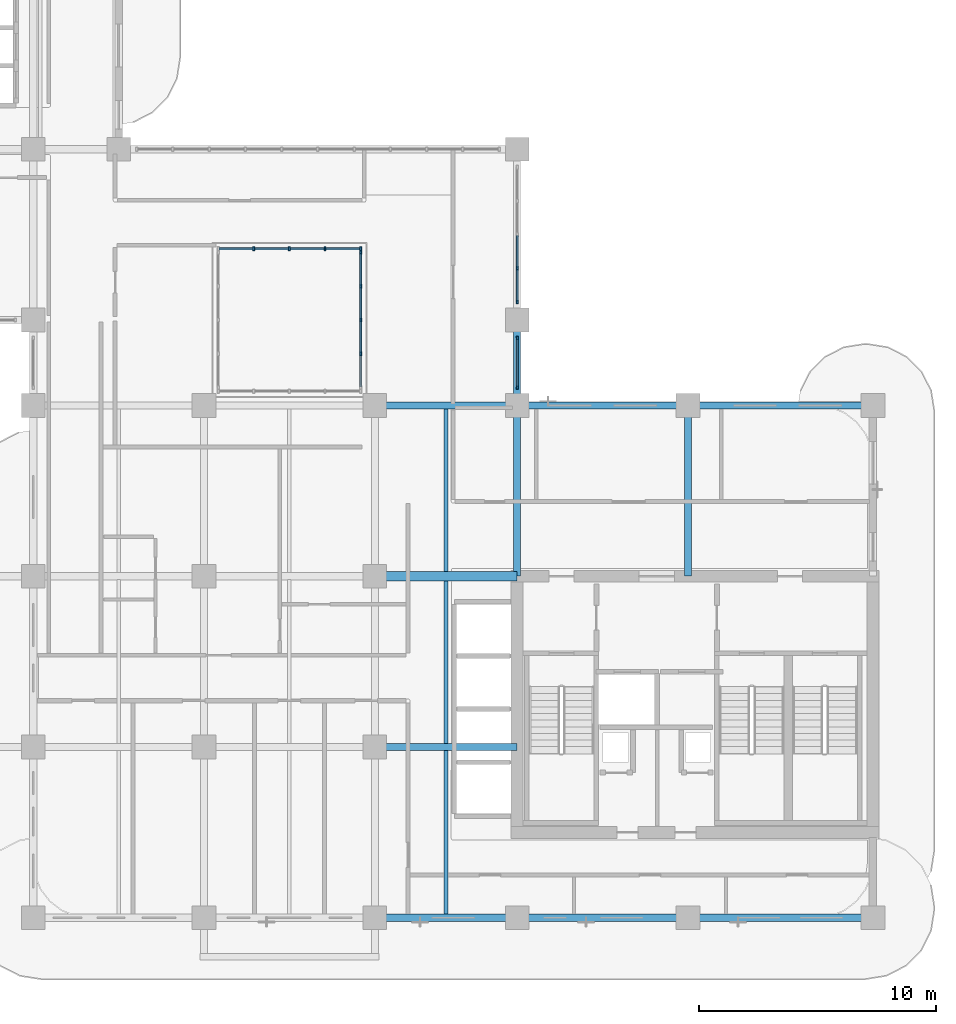
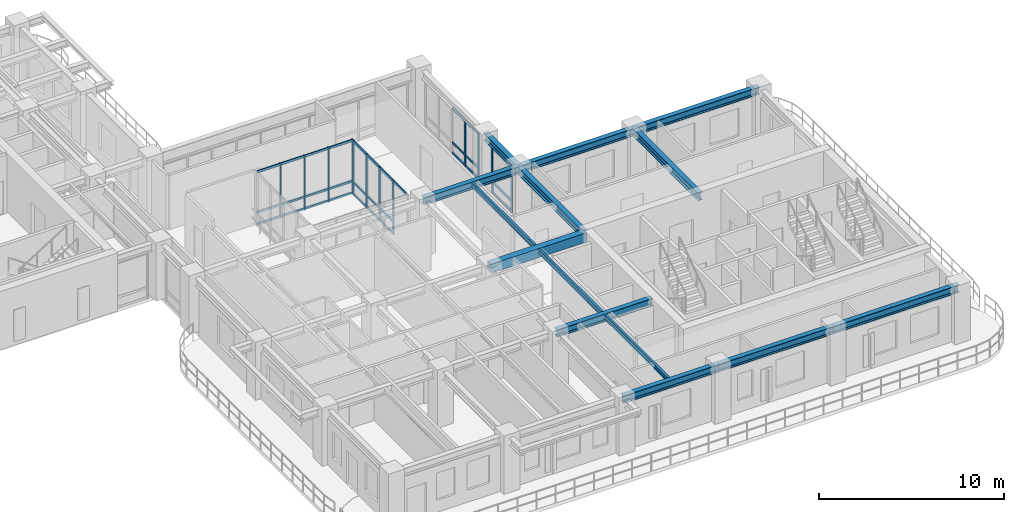
# One storey, part 3 of 21: 43 members, 14 beams, 4 elements without a shape of their own.
"""IFC4 building model written with IfcOpenShell, lengths in metres."""

from ifc_helpers import new_model, si_unit, derived_unit, direction, frame, origin, origin_2d, place, context, subcontext, project, spatial, rectangle, i_section, extrude, source, transform, mapped, material, layer, layer_set, material_profile, profile_set, type_object, type_shapes, element, aggregate, save


model = new_model("IFC4")

# Units and contexts
model_context = context("Model", 3, precision=1e-05, world=origin(), true_north=direction((0.0, 1.0)))
body_context = subcontext(model_context, "Body", "Model", "MODEL_VIEW")
ifc_project = project(units=[si_unit("LENGTHUNIT", "METRE"), si_unit("AREAUNIT", "SQUARE_METRE"), si_unit("VOLUMEUNIT", "CUBIC_METRE"), si_unit("PLANEANGLEUNIT", "RADIAN"), si_unit("MASSUNIT", "GRAM", prefix="KILO"), si_unit("THERMODYNAMICTEMPERATUREUNIT", "KELVIN"), si_unit("POWERUNIT", "WATT"), derived_unit("THERMALTRANSMITTANCEUNIT", [(si_unit("POWERUNIT", "WATT"), 1), (si_unit("AREAUNIT", "SQUARE_METRE"), -1), (si_unit("THERMODYNAMICTEMPERATUREUNIT", "KELVIN"), -1)])], contexts=[model_context])

# Site, building, storey
site_placement = place(None, origin())
site = spatial("IfcSite", under=ifc_project, at=site_placement, CompositionType="ELEMENT")
building_placement = place(site_placement, origin())
building = spatial("IfcBuilding", under=site, at=building_placement, Name="Zahravan Archway Hotel and Residences", CompositionType="ELEMENT")
storey_placement = place(building_placement, frame((0.0, 0.0, 169.550048828125)))
storey = spatial("IfcBuildingStorey", under=building, at=storey_placement, Name="L42", CompositionType="ELEMENT", Elevation=169.550048828125)

# Beams
ifc_material_1 = material(Name="Concrete C60/75", Category="concrete")
ifc_material_profile_1 = material_profile(ifc_material_1, rectangle(XDim=0.39990234375, YDim=0.60009765625, at=origin_2d()), Name="RC-LNT-400x600", Category="concrete")
ifc_profile_set_1 = profile_set([ifc_material_profile_1], Name="Concrete C60/75")
beam_type_1 = type_object("IfcBeamType", Name="LNT-RC-400x600", PredefinedType="LINTEL", material=ifc_profile_set_1)
shared_shape_1 = source(origin(), body_context, "Body", "SweptSolid", [
    extrude(rectangle(XDim=0.39990234375, YDim=0.60009765625, at=origin_2d()), origin(), (0.0, 0.0, 1.0), 6.0),
])
type_shapes(beam_type_1, [shared_shape_1])
beam_1_placement = place(storey_placement, frame((28.800048828125, 14.39990234375, 3.300048828125), z_axis=(1.0, 0.0, 0.0), x_axis=(0.0, 1.0, 0.0)))
element("IfcBeam", 1, at=beam_1_placement, inside=storey, type_object=beam_type_1, Name="L42 Core A Coupling Lintel Beam", PredefinedType="LINTEL", context=body_context, shape_type="MappedRepresentation", body=[
    mapped(shared_shape_1, transform((0.0, 0.0, 0.0), scale=1.0)),
])
ifc_material_2 = material(Name="Structural Steel S355JR", Category="steel")
ifc_material_profile_2 = material_profile(ifc_material_2, i_section(OverallWidth=0.300048828125, OverallDepth=0.5, WebThickness=0.014404296875, FlangeThickness=0.028076171875, FilletRadius=0.027099609375, at=origin_2d()), Name="HEB 500", Category="steel")
ifc_profile_set_2 = profile_set([ifc_material_profile_2], Name="Structural Steel S355JR")
beam_type_2 = type_object("IfcBeamType", Name="BM-PRI-HEB500", PredefinedType="BEAM", material=ifc_profile_set_2)
shared_shape_2 = source(origin(), body_context, "Body", "SweptSolid", [
    extrude(i_section(OverallWidth=0.300048828125, OverallDepth=0.5, WebThickness=0.014404296875, FlangeThickness=0.028076171875, FilletRadius=0.027099609375, at=origin_2d()), origin(), (0.0, 0.0, 1.0), 7.2001953125),
])
type_shapes(beam_type_2, [shared_shape_2])
for number, where, z_axis, x_axis, name in (
    (2, (34.800048828125, 14.39990234375, 3.349853515625), (0.0, 1.0, 0.0), (-1.0, 0.0, 0.0), "L42 Primary Girder NS-41"),
    (3, (42.0, 14.39990234375, 3.349853515625), (0.0, 1.0, 0.0), (-1.0, 0.0, 0.0), "L42 Primary Girder NS-44"),
):
    element("IfcBeam", number, at=place(storey_placement, frame(where, z_axis=z_axis, x_axis=x_axis)), inside=storey, type_object=beam_type_2, Name=name, PredefinedType="BEAM", context=body_context, shape_type="MappedRepresentation", body=[
        mapped(shared_shape_2, transform((0.0, 0.0, 0.0), scale=1.0)),
    ])
shared_shape_3 = source(origin(), body_context, "Body", "SweptSolid", [
    extrude(i_section(OverallWidth=0.300048828125, OverallDepth=0.5, WebThickness=0.014404296875, FlangeThickness=0.028076171875, FilletRadius=0.027099609375, at=origin_2d()), origin(), (0.0, 0.0, 1.0), 7.199951171875),
])
for number, where, z_axis, x_axis, name in (
    (4, (34.800048828125, 0.0, 3.349853515625), (1.0, 0.0, 0.0), (0.0, 1.0, 0.0), "L42 Primary Girder EW-04"),
    (5, (34.800048828125, 21.60009765625, 3.349853515625), (1.0, 0.0, 0.0), (0.0, 1.0, 0.0), "L42 Primary Girder EW-14"),
):
    element("IfcBeam", number, at=place(storey_placement, frame(where, z_axis=z_axis, x_axis=x_axis)), inside=storey, type_object=beam_type_2, Name=name, PredefinedType="BEAM", context=body_context, shape_type="MappedRepresentation", body=[
        mapped(shared_shape_3, transform((0.0, 0.0, 0.0), scale=1.0)),
    ])
shared_shape_4 = source(origin(), body_context, "Body", "SweptSolid", [
    extrude(i_section(OverallWidth=0.300048828125, OverallDepth=0.5, WebThickness=0.014404296875, FlangeThickness=0.028076171875, FilletRadius=0.027099609375, at=origin_2d()), origin(), (0.0, 0.0, 1.0), 6.0),
])
for number, where, z_axis, x_axis, name in (
    (6, (28.800048828125, 0.0, 3.349853515625), (1.0, 0.0, 0.0), (0.0, 1.0, 0.0), "L42 Primary Girder EW-03"),
    (7, (28.800048828125, 7.199951171875, 3.349853515625), (1.0, 0.0, 0.0), (0.0, 1.0, 0.0), "L42 Primary Girder EW-08"),
    (8, (28.800048828125, 21.60009765625, 3.349853515625), (1.0, 0.0, 0.0), (0.0, 1.0, 0.0), "L42 Primary Girder EW-13"),
):
    element("IfcBeam", number, at=place(storey_placement, frame(where, z_axis=z_axis, x_axis=x_axis)), inside=storey, type_object=beam_type_2, Name=name, PredefinedType="BEAM", context=body_context, shape_type="MappedRepresentation", body=[
        mapped(shared_shape_4, transform((0.0, 0.0, 0.0), scale=1.0)),
    ])
shared_shape_5 = source(origin(), body_context, "Body", "SweptSolid", [
    extrude(i_section(OverallWidth=0.300048828125, OverallDepth=0.5, WebThickness=0.014404296875, FlangeThickness=0.028076171875, FilletRadius=0.027099609375, at=origin_2d()), origin(), (0.0, 0.0, 1.0), 7.800048828125),
])
for number, where, z_axis, x_axis, name in (
    (9, (42.0, 0.0, 3.349853515625), (1.0, 0.0, 0.0), (0.0, 1.0, 0.0), "L42 Primary Girder EW-05"),
    (10, (42.0, 21.60009765625, 3.349853515625), (1.0, 0.0, 0.0), (0.0, 1.0, 0.0), "L42 Primary Girder EW-15"),
):
    element("IfcBeam", number, at=place(storey_placement, frame(where, z_axis=z_axis, x_axis=x_axis)), inside=storey, type_object=beam_type_2, Name=name, PredefinedType="BEAM", context=body_context, shape_type="MappedRepresentation", body=[
        mapped(shared_shape_5, transform((0.0, 0.0, 0.0), scale=1.0)),
    ])
shared_shape_6 = source(origin(), body_context, "Body", "SweptSolid", [
    extrude(i_section(OverallWidth=0.300048828125, OverallDepth=0.5, WebThickness=0.014404296875, FlangeThickness=0.028076171875, FilletRadius=0.027099609375, at=origin_2d()), origin(), (0.0, 0.0, 1.0), 3.599853515625),
])
beam_2_placement = place(storey_placement, frame((34.800048828125, 21.60009765625, 3.349853515625), z_axis=(0.0, 1.0, 0.0), x_axis=(-1.0, 0.0, 0.0)))
element("IfcBeam", 11, at=beam_2_placement, inside=storey, type_object=beam_type_2, Name="L42 Primary Girder NS-42", PredefinedType="BEAM", context=body_context, shape_type="MappedRepresentation", body=[
    mapped(shared_shape_6, transform((0.0, 0.0, 0.0), scale=1.0)),
])
ifc_material_profile_3 = material_profile(ifc_material_2, i_section(OverallWidth=0.14990234375, OverallDepth=0.300048828125, WebThickness=0.007080078125, FlangeThickness=0.0107421875, FilletRadius=0.014892578125, at=origin_2d()), Name="IPE 300", Category="steel")
ifc_profile_set_3 = profile_set([ifc_material_profile_3], Name="Structural Steel S355JR")
beam_type_3 = type_object("IfcBeamType", Name="BM-JST-IPE300", PredefinedType="JOIST", material=ifc_profile_set_3)
shared_shape_7 = source(origin(), body_context, "Body", "SweptSolid", [
    extrude(i_section(OverallWidth=0.14990234375, OverallDepth=0.300048828125, WebThickness=0.007080078125, FlangeThickness=0.0107421875, FilletRadius=0.014892578125, at=origin_2d()), origin(), (0.0, 0.0, 1.0), 6.904052734375),
])
type_shapes(beam_type_3, [shared_shape_7])
beam_3_placement = place(storey_placement, frame((31.800048828125, 0.14794921875, 3.449951171875), z_axis=(0.0, 1.0, 0.0), x_axis=(-1.0, 0.0, 0.0)))
element("IfcBeam", 12, at=beam_3_placement, inside=storey, type_object=beam_type_3, Name="L42 Composite Floor Joist 03", PredefinedType="JOIST", context=body_context, shape_type="MappedRepresentation", body=[
    mapped(shared_shape_7, transform((0.0, 0.0, 0.0), scale=1.0)),
])
shared_shape_8 = source(origin(), body_context, "Body", "SweptSolid", [
    extrude(i_section(OverallWidth=0.14990234375, OverallDepth=0.300048828125, WebThickness=0.007080078125, FlangeThickness=0.0107421875, FilletRadius=0.014892578125, at=origin_2d()), origin(), (0.0, 0.0, 1.0), 6.85400390625),
])
for number, where, z_axis, x_axis, name in (
    (13, (31.800048828125, 7.347900390625, 3.449951171875), (0.0, 1.0, 0.0), (-1.0, 0.0, 0.0), "L42 Composite Floor Joist 06"),
    (14, (31.800048828125, 14.597900390625, 3.449951171875), (0.0, 1.0, 0.0), (-1.0, 0.0, 0.0), "L42 Composite Floor Joist 07"),
):
    element("IfcBeam", number, at=place(storey_placement, frame(where, z_axis=z_axis, x_axis=x_axis)), inside=storey, type_object=beam_type_3, Name=name, PredefinedType="JOIST", context=body_context, shape_type="MappedRepresentation", body=[
        mapped(shared_shape_8, transform((0.0, 0.0, 0.0), scale=1.0)),
    ])

# Curtain wall, members
ifc_material_3 = material(Name="Bronze-Anodized Unitised Aluminium & Low-E Glass", Category="aluminium")
ifc_layer = layer(ifc_material_3, 0.179931640625, Name="Bronze-Anodized Unitised Aluminium & Low-E Glass", Category="aluminium")
ifc_layer_set = layer_set([ifc_layer], Name="Bronze-Anodized Unitised Aluminium & Low-E Glass")
curtain_wall_type = type_object("IfcCurtainWallType", Name="CW-ATR-GLAZ", PredefinedType="NOTDEFINED", material=ifc_layer_set)
curtain_wall_1_placement = place(storey_placement, origin())
curtain_wall_1 = element("IfcCurtainWall", 15, at=curtain_wall_1_placement, inside=storey, type_object=curtain_wall_type, Name="L42 Curtain Wall CW-L42-HNG-E-2", PredefinedType="NOTDEFINED")
ifc_material_4 = material(Name="Bronze-Anodized Extruded Aluminium", Category="aluminium")
ifc_material_profile_4 = material_profile(ifc_material_4, rectangle(XDim=0.080078125, YDim=0.139892578125, at=origin_2d()), Name="TRN 80x140", Category="aluminium")
ifc_profile_set_4 = profile_set([ifc_material_profile_4], Name="Bronze-Anodized Extruded Aluminium")
member_type_1 = type_object("IfcMemberType", Name="CWM-TRN-140", PredefinedType="USERDEFINED", material=ifc_profile_set_4)
shared_shape_9 = source(origin(), body_context, "Body", "SweptSolid", [
    extrude(rectangle(XDim=0.080078125, YDim=0.139892578125, at=origin_2d()), origin(), (0.0, 0.0, 1.0), 1.340087890625),
])
member_1_placement = place(storey_placement, frame((34.800048828125, 26.0, 0.070068359375), z_axis=(0.0, 1.0, 0.0), x_axis=(-1.0, 0.0, 0.0)))
member_1 = element("IfcMember", 16, at=member_1_placement, type_object=member_type_1, Name="CW-L42-HNG-E-2 Transom 0-1", ObjectType="TRANSOM", PredefinedType="USERDEFINED", context=body_context, shape_type="MappedRepresentation", body=[
    mapped(shared_shape_9, transform((0.0, 0.0, 0.0), scale=1.0)),
])
member_2_placement = place(storey_placement, frame((34.800048828125, 26.0, 0.740234375), z_axis=(0.0, 1.0, 0.0), x_axis=(-1.0, 0.0, 0.0)))
member_2 = element("IfcMember", 17, at=member_2_placement, type_object=member_type_1, Name="CW-L42-HNG-E-2 Transom 0-2", ObjectType="TRANSOM", PredefinedType="USERDEFINED", context=body_context, shape_type="MappedRepresentation", body=[
    mapped(shared_shape_9, transform((0.0, 0.0, 0.0), scale=1.0)),
])
member_3_placement = place(storey_placement, frame((34.800048828125, 26.0, 3.014892578125), z_axis=(0.0, 1.0, 0.0), x_axis=(-1.0, 0.0, 0.0)))
member_3 = element("IfcMember", 18, at=member_3_placement, type_object=member_type_1, Name="CW-L42-HNG-E-2 Transom 0-3", ObjectType="TRANSOM", PredefinedType="USERDEFINED", context=body_context, shape_type="MappedRepresentation", body=[
    mapped(shared_shape_9, transform((0.0, 0.0, 0.0), scale=1.0)),
])
member_4_placement = place(storey_placement, frame((34.800048828125, 27.419921875, 0.070068359375), z_axis=(0.0, 1.0, 0.0), x_axis=(-1.0, 0.0, 0.0)))
member_4 = element("IfcMember", 19, at=member_4_placement, type_object=member_type_1, Name="CW-L42-HNG-E-2 Transom 1-1", ObjectType="TRANSOM", PredefinedType="USERDEFINED", context=body_context, shape_type="MappedRepresentation", body=[
    mapped(shared_shape_9, transform((0.0, 0.0, 0.0), scale=1.0)),
])
member_5_placement = place(storey_placement, frame((34.800048828125, 27.419921875, 0.740234375), z_axis=(0.0, 1.0, 0.0), x_axis=(-1.0, 0.0, 0.0)))
member_5 = element("IfcMember", 20, at=member_5_placement, type_object=member_type_1, Name="CW-L42-HNG-E-2 Transom 1-2", ObjectType="TRANSOM", PredefinedType="USERDEFINED", context=body_context, shape_type="MappedRepresentation", body=[
    mapped(shared_shape_9, transform((0.0, 0.0, 0.0), scale=1.0)),
])
member_6_placement = place(storey_placement, frame((34.800048828125, 27.419921875, 3.014892578125), z_axis=(0.0, 1.0, 0.0), x_axis=(-1.0, 0.0, 0.0)))
member_6 = element("IfcMember", 21, at=member_6_placement, type_object=member_type_1, Name="CW-L42-HNG-E-2 Transom 1-3", ObjectType="TRANSOM", PredefinedType="USERDEFINED", context=body_context, shape_type="MappedRepresentation", body=[
    mapped(shared_shape_9, transform((0.0, 0.0, 0.0), scale=1.0)),
])

curtain_wall_2_placement = place(storey_placement, origin())
curtain_wall_2 = element("IfcCurtainWall", 22, at=curtain_wall_2_placement, inside=storey, type_object=curtain_wall_type, Name="L42 Curtain Wall CW-L42-HNG-E-1", PredefinedType="NOTDEFINED")
shared_shape_10 = source(origin(), body_context, "Body", "SweptSolid", [
    extrude(rectangle(XDim=0.080078125, YDim=0.139892578125, at=origin_2d()), origin(), (0.0, 0.0, 1.0), 2.0),
])
member_7_placement = place(storey_placement, frame((34.800048828125, 22.39990234375, 0.070068359375), z_axis=(0.0, 1.0, 0.0), x_axis=(-1.0, 0.0, 0.0)))
member_7 = element("IfcMember", 23, at=member_7_placement, type_object=member_type_1, Name="CW-L42-HNG-E-1 Transom 0-1", ObjectType="TRANSOM", PredefinedType="USERDEFINED", context=body_context, shape_type="MappedRepresentation", body=[
    mapped(shared_shape_10, transform((0.0, 0.0, 0.0), scale=1.0)),
])
member_8_placement = place(storey_placement, frame((34.800048828125, 22.39990234375, 0.740234375), z_axis=(0.0, 1.0, 0.0), x_axis=(-1.0, 0.0, 0.0)))
member_8 = element("IfcMember", 24, at=member_8_placement, type_object=member_type_1, Name="CW-L42-HNG-E-1 Transom 0-2", ObjectType="TRANSOM", PredefinedType="USERDEFINED", context=body_context, shape_type="MappedRepresentation", body=[
    mapped(shared_shape_10, transform((0.0, 0.0, 0.0), scale=1.0)),
])
member_9_placement = place(storey_placement, frame((34.800048828125, 22.39990234375, 3.014892578125), z_axis=(0.0, 1.0, 0.0), x_axis=(-1.0, 0.0, 0.0)))
member_9 = element("IfcMember", 25, at=member_9_placement, type_object=member_type_1, Name="CW-L42-HNG-E-1 Transom 0-3", ObjectType="TRANSOM", PredefinedType="USERDEFINED", context=body_context, shape_type="MappedRepresentation", body=[
    mapped(shared_shape_10, transform((0.0, 0.0, 0.0), scale=1.0)),
])

curtain_wall_3_placement = place(storey_placement, origin())
curtain_wall_3 = element("IfcCurtainWall", 26, at=curtain_wall_3_placement, inside=storey, type_object=curtain_wall_type, Name="L42 Curtain Wall CW-ATR-L42-N-1", PredefinedType="NOTDEFINED")
shared_shape_11 = source(origin(), body_context, "Body", "SweptSolid", [
    extrude(rectangle(XDim=0.080078125, YDim=0.139892578125, at=origin_2d()), origin(), (0.0, 0.0, 1.0), 1.419921875),
])
member_10_placement = place(storey_placement, frame((22.239990234375, 28.199951171875, 0.070068359375), z_axis=(1.0, 0.0, 0.0), x_axis=(0.0, 1.0, 0.0)))
member_10 = element("IfcMember", 27, at=member_10_placement, type_object=member_type_1, Name="CW-ATR-L42-N-1 Transom 0-1", ObjectType="TRANSOM", PredefinedType="USERDEFINED", context=body_context, shape_type="MappedRepresentation", body=[
    mapped(shared_shape_11, transform((0.0, 0.0, 0.0), scale=1.0)),
])
member_11_placement = place(storey_placement, frame((22.239990234375, 28.199951171875, 0.849853515625), z_axis=(1.0, 0.0, 0.0), x_axis=(0.0, 1.0, 0.0)))
member_11 = element("IfcMember", 28, at=member_11_placement, type_object=member_type_1, Name="CW-ATR-L42-N-1 Transom 0-2", ObjectType="TRANSOM", PredefinedType="USERDEFINED", context=body_context, shape_type="MappedRepresentation", body=[
    mapped(shared_shape_11, transform((0.0, 0.0, 0.0), scale=1.0)),
])
member_12_placement = place(storey_placement, frame((22.239990234375, 28.199951171875, 3.530029296875), z_axis=(1.0, 0.0, 0.0), x_axis=(0.0, 1.0, 0.0)))
member_12 = element("IfcMember", 29, at=member_12_placement, type_object=member_type_1, Name="CW-ATR-L42-N-1 Transom 0-3", ObjectType="TRANSOM", PredefinedType="USERDEFINED", context=body_context, shape_type="MappedRepresentation", body=[
    mapped(shared_shape_11, transform((0.0, 0.0, 0.0), scale=1.0)),
])
member_13_placement = place(storey_placement, frame((23.739990234375, 28.199951171875, 0.070068359375), z_axis=(1.0, 0.0, 0.0), x_axis=(0.0, 1.0, 0.0)))
member_13 = element("IfcMember", 30, at=member_13_placement, type_object=member_type_1, Name="CW-ATR-L42-N-1 Transom 1-1", ObjectType="TRANSOM", PredefinedType="USERDEFINED", context=body_context, shape_type="MappedRepresentation", body=[
    mapped(shared_shape_11, transform((0.0, 0.0, 0.0), scale=1.0)),
])
member_14_placement = place(storey_placement, frame((23.739990234375, 28.199951171875, 0.849853515625), z_axis=(1.0, 0.0, 0.0), x_axis=(0.0, 1.0, 0.0)))
member_14 = element("IfcMember", 31, at=member_14_placement, type_object=member_type_1, Name="CW-ATR-L42-N-1 Transom 1-2", ObjectType="TRANSOM", PredefinedType="USERDEFINED", context=body_context, shape_type="MappedRepresentation", body=[
    mapped(shared_shape_11, transform((0.0, 0.0, 0.0), scale=1.0)),
])
member_15_placement = place(storey_placement, frame((23.739990234375, 28.199951171875, 3.530029296875), z_axis=(1.0, 0.0, 0.0), x_axis=(0.0, 1.0, 0.0)))
member_15 = element("IfcMember", 32, at=member_15_placement, type_object=member_type_1, Name="CW-ATR-L42-N-1 Transom 1-3", ObjectType="TRANSOM", PredefinedType="USERDEFINED", context=body_context, shape_type="MappedRepresentation", body=[
    mapped(shared_shape_11, transform((0.0, 0.0, 0.0), scale=1.0)),
])
member_16_placement = place(storey_placement, frame((25.239990234375, 28.199951171875, 0.070068359375), z_axis=(1.0, 0.0, 0.0), x_axis=(0.0, 1.0, 0.0)))
member_16 = element("IfcMember", 33, at=member_16_placement, type_object=member_type_1, Name="CW-ATR-L42-N-1 Transom 2-1", ObjectType="TRANSOM", PredefinedType="USERDEFINED", context=body_context, shape_type="MappedRepresentation", body=[
    mapped(shared_shape_11, transform((0.0, 0.0, 0.0), scale=1.0)),
])
member_17_placement = place(storey_placement, frame((25.239990234375, 28.199951171875, 0.849853515625), z_axis=(1.0, 0.0, 0.0), x_axis=(0.0, 1.0, 0.0)))
member_17 = element("IfcMember", 34, at=member_17_placement, type_object=member_type_1, Name="CW-ATR-L42-N-1 Transom 2-2", ObjectType="TRANSOM", PredefinedType="USERDEFINED", context=body_context, shape_type="MappedRepresentation", body=[
    mapped(shared_shape_11, transform((0.0, 0.0, 0.0), scale=1.0)),
])
member_18_placement = place(storey_placement, frame((25.239990234375, 28.199951171875, 3.530029296875), z_axis=(1.0, 0.0, 0.0), x_axis=(0.0, 1.0, 0.0)))
member_18 = element("IfcMember", 35, at=member_18_placement, type_object=member_type_1, Name="CW-ATR-L42-N-1 Transom 2-3", ObjectType="TRANSOM", PredefinedType="USERDEFINED", context=body_context, shape_type="MappedRepresentation", body=[
    mapped(shared_shape_11, transform((0.0, 0.0, 0.0), scale=1.0)),
])
member_19_placement = place(storey_placement, frame((26.739990234375, 28.199951171875, 0.070068359375), z_axis=(1.0, 0.0, 0.0), x_axis=(0.0, 1.0, 0.0)))
member_19 = element("IfcMember", 36, at=member_19_placement, type_object=member_type_1, Name="CW-ATR-L42-N-1 Transom 3-1", ObjectType="TRANSOM", PredefinedType="USERDEFINED", context=body_context, shape_type="MappedRepresentation", body=[
    mapped(shared_shape_11, transform((0.0, 0.0, 0.0), scale=1.0)),
])
member_20_placement = place(storey_placement, frame((26.739990234375, 28.199951171875, 0.849853515625), z_axis=(1.0, 0.0, 0.0), x_axis=(0.0, 1.0, 0.0)))
member_20 = element("IfcMember", 37, at=member_20_placement, type_object=member_type_1, Name="CW-ATR-L42-N-1 Transom 3-2", ObjectType="TRANSOM", PredefinedType="USERDEFINED", context=body_context, shape_type="MappedRepresentation", body=[
    mapped(shared_shape_11, transform((0.0, 0.0, 0.0), scale=1.0)),
])
member_21_placement = place(storey_placement, frame((26.739990234375, 28.199951171875, 3.530029296875), z_axis=(1.0, 0.0, 0.0), x_axis=(0.0, 1.0, 0.0)))
member_21 = element("IfcMember", 38, at=member_21_placement, type_object=member_type_1, Name="CW-ATR-L42-N-1 Transom 3-3", ObjectType="TRANSOM", PredefinedType="USERDEFINED", context=body_context, shape_type="MappedRepresentation", body=[
    mapped(shared_shape_11, transform((0.0, 0.0, 0.0), scale=1.0)),
])

curtain_wall_4_placement = place(storey_placement, origin())
curtain_wall_4 = element("IfcCurtainWall", 39, at=curtain_wall_4_placement, inside=storey, type_object=curtain_wall_type, Name="L42 Curtain Wall CW-ATR-L42-E-1", PredefinedType="NOTDEFINED")
shared_shape_12 = source(origin(), body_context, "Body", "SweptSolid", [
    extrude(rectangle(XDim=0.080078125, YDim=0.139892578125, at=origin_2d()), origin(), (0.0, 0.0, 1.0), 1.34521484375),
])
member_22_placement = place(storey_placement, frame((28.199951171875, 22.389892578125, 3.530029296875), z_axis=(0.0, 1.0, 0.0), x_axis=(-1.0, 0.0, 0.0)))
member_22 = element("IfcMember", 40, at=member_22_placement, type_object=member_type_1, Name="CW-ATR-L42-E-1 Transom 0-3", ObjectType="TRANSOM", PredefinedType="USERDEFINED", context=body_context, shape_type="MappedRepresentation", body=[
    mapped(shared_shape_12, transform((0.0, 0.0, 0.0), scale=1.0)),
])
shared_shape_13 = source(origin(), body_context, "Body", "SweptSolid", [
    extrude(rectangle(XDim=0.080078125, YDim=0.139892578125, at=origin_2d()), origin(), (0.0, 0.0, 1.0), 1.344970703125),
])
member_23_placement = place(storey_placement, frame((28.199951171875, 23.81494140625, 0.070068359375), z_axis=(0.0, 1.0, 0.0), x_axis=(-1.0, 0.0, 0.0)))
member_23 = element("IfcMember", 41, at=member_23_placement, type_object=member_type_1, Name="CW-ATR-L42-E-1 Transom 1-1", ObjectType="TRANSOM", PredefinedType="USERDEFINED", context=body_context, shape_type="MappedRepresentation", body=[
    mapped(shared_shape_13, transform((0.0, 0.0, 0.0), scale=1.0)),
])
member_24_placement = place(storey_placement, frame((28.199951171875, 23.81494140625, 0.849853515625), z_axis=(0.0, 1.0, 0.0), x_axis=(-1.0, 0.0, 0.0)))
member_24 = element("IfcMember", 42, at=member_24_placement, type_object=member_type_1, Name="CW-ATR-L42-E-1 Transom 1-2", ObjectType="TRANSOM", PredefinedType="USERDEFINED", context=body_context, shape_type="MappedRepresentation", body=[
    mapped(shared_shape_13, transform((0.0, 0.0, 0.0), scale=1.0)),
])
member_25_placement = place(storey_placement, frame((28.199951171875, 23.81494140625, 3.530029296875), z_axis=(0.0, 1.0, 0.0), x_axis=(-1.0, 0.0, 0.0)))
member_25 = element("IfcMember", 43, at=member_25_placement, type_object=member_type_1, Name="CW-ATR-L42-E-1 Transom 1-3", ObjectType="TRANSOM", PredefinedType="USERDEFINED", context=body_context, shape_type="MappedRepresentation", body=[
    mapped(shared_shape_13, transform((0.0, 0.0, 0.0), scale=1.0)),
])
member_26_placement = place(storey_placement, frame((28.199951171875, 25.239990234375, 0.070068359375), z_axis=(0.0, 1.0, 0.0), x_axis=(-1.0, 0.0, 0.0)))
member_26 = element("IfcMember", 44, at=member_26_placement, type_object=member_type_1, Name="CW-ATR-L42-E-1 Transom 2-1", ObjectType="TRANSOM", PredefinedType="USERDEFINED", context=body_context, shape_type="MappedRepresentation", body=[
    mapped(shared_shape_13, transform((0.0, 0.0, 0.0), scale=1.0)),
])
member_27_placement = place(storey_placement, frame((28.199951171875, 25.239990234375, 0.849853515625), z_axis=(0.0, 1.0, 0.0), x_axis=(-1.0, 0.0, 0.0)))
member_27 = element("IfcMember", 45, at=member_27_placement, type_object=member_type_1, Name="CW-ATR-L42-E-1 Transom 2-2", ObjectType="TRANSOM", PredefinedType="USERDEFINED", context=body_context, shape_type="MappedRepresentation", body=[
    mapped(shared_shape_13, transform((0.0, 0.0, 0.0), scale=1.0)),
])
member_28_placement = place(storey_placement, frame((28.199951171875, 25.239990234375, 3.530029296875), z_axis=(0.0, 1.0, 0.0), x_axis=(-1.0, 0.0, 0.0)))
member_28 = element("IfcMember", 46, at=member_28_placement, type_object=member_type_1, Name="CW-ATR-L42-E-1 Transom 2-3", ObjectType="TRANSOM", PredefinedType="USERDEFINED", context=body_context, shape_type="MappedRepresentation", body=[
    mapped(shared_shape_13, transform((0.0, 0.0, 0.0), scale=1.0)),
])
member_29_placement = place(storey_placement, frame((28.199951171875, 26.6650390625, 0.070068359375), z_axis=(0.0, 1.0, 0.0), x_axis=(-1.0, 0.0, 0.0)))
member_29 = element("IfcMember", 47, at=member_29_placement, type_object=member_type_1, Name="CW-ATR-L42-E-1 Transom 3-1", ObjectType="TRANSOM", PredefinedType="USERDEFINED", context=body_context, shape_type="MappedRepresentation", body=[
    mapped(shared_shape_13, transform((0.0, 0.0, 0.0), scale=1.0)),
])
member_30_placement = place(storey_placement, frame((28.199951171875, 26.6650390625, 0.849853515625), z_axis=(0.0, 1.0, 0.0), x_axis=(-1.0, 0.0, 0.0)))
member_30 = element("IfcMember", 48, at=member_30_placement, type_object=member_type_1, Name="CW-ATR-L42-E-1 Transom 3-2", ObjectType="TRANSOM", PredefinedType="USERDEFINED", context=body_context, shape_type="MappedRepresentation", body=[
    mapped(shared_shape_13, transform((0.0, 0.0, 0.0), scale=1.0)),
])
member_31_placement = place(storey_placement, frame((28.199951171875, 26.6650390625, 3.530029296875), z_axis=(0.0, 1.0, 0.0), x_axis=(-1.0, 0.0, 0.0)))
member_31 = element("IfcMember", 49, at=member_31_placement, type_object=member_type_1, Name="CW-ATR-L42-E-1 Transom 3-3", ObjectType="TRANSOM", PredefinedType="USERDEFINED", context=body_context, shape_type="MappedRepresentation", body=[
    mapped(shared_shape_13, transform((0.0, 0.0, 0.0), scale=1.0)),
])

# Member
ifc_material_profile_5 = material_profile(ifc_material_4, rectangle(XDim=0.080078125, YDim=0.159912109375, at=origin_2d()), Name="MUL 80x160", Category="aluminium")
ifc_profile_set_5 = profile_set([ifc_material_profile_5], Name="Bronze-Anodized Extruded Aluminium")
member_type_2 = type_object("IfcMemberType", Name="CWM-MUL-160", PredefinedType="MULLION", material=ifc_profile_set_5)
shared_shape_14 = source(origin(), body_context, "Body", "SweptSolid", [
    extrude(rectangle(XDim=0.080078125, YDim=0.159912109375, at=origin_2d()), origin(), (0.0, 0.0, 1.0), 3.0849609375),
])
member_32_placement = place(storey_placement, frame((34.800048828125, 22.360107421875, 0.0), z_axis=(0.0, 0.0, 1.0), x_axis=(1.0, 0.0, 0.0)))
member_32 = element("IfcMember", 50, at=member_32_placement, type_object=member_type_2, Name="CW-L42-HNG-E-1 Mullion 0", PredefinedType="MULLION", context=body_context, shape_type="MappedRepresentation", body=[
    mapped(shared_shape_14, transform((0.0, 0.0, 0.0), scale=1.0)),
])

member_33_placement = place(storey_placement, frame((34.800048828125, 24.43994140625, 0.0), z_axis=(0.0, 0.0, 1.0), x_axis=(1.0, 0.0, 0.0)))
member_33 = element("IfcMember", 51, at=member_33_placement, type_object=member_type_2, Name="CW-L42-HNG-E-1 Mullion 1", PredefinedType="MULLION", context=body_context, shape_type="MappedRepresentation", body=[
    mapped(shared_shape_14, transform((0.0, 0.0, 0.0), scale=1.0)),
])

aggregate(curtain_wall_2, [member_32, member_33, member_7, member_8, member_9])

member_34_placement = place(storey_placement, frame((34.800048828125, 25.9599609375, 0.0), z_axis=(0.0, 0.0, 1.0), x_axis=(1.0, 0.0, 0.0)))
member_34 = element("IfcMember", 52, at=member_34_placement, type_object=member_type_2, Name="CW-L42-HNG-E-2 Mullion 0", PredefinedType="MULLION", context=body_context, shape_type="MappedRepresentation", body=[
    mapped(shared_shape_14, transform((0.0, 0.0, 0.0), scale=1.0)),
])

member_35_placement = place(storey_placement, frame((34.800048828125, 27.3798828125, 0.0), z_axis=(0.0, 0.0, 1.0), x_axis=(1.0, 0.0, 0.0)))
member_35 = element("IfcMember", 53, at=member_35_placement, type_object=member_type_2, Name="CW-L42-HNG-E-2 Mullion 1", PredefinedType="MULLION", context=body_context, shape_type="MappedRepresentation", body=[
    mapped(shared_shape_14, transform((0.0, 0.0, 0.0), scale=1.0)),
])

aggregate(curtain_wall_1, [member_34, member_35, member_1, member_2, member_3, member_4, member_5, member_6])

shared_shape_15 = source(origin(), body_context, "Body", "SweptSolid", [
    extrude(rectangle(XDim=0.080078125, YDim=0.159912109375, at=origin_2d()), origin(), (0.0, 0.0, 1.0), 3.599853515625),
])
member_36_placement = place(storey_placement, frame((23.699951171875, 28.199951171875, 0.0), z_axis=(0.0, 0.0, 1.0), x_axis=(1.0, 0.0, 0.0)))
member_36 = element("IfcMember", 54, at=member_36_placement, type_object=member_type_2, Name="CW-ATR-L42-N-1 Mullion 1", PredefinedType="MULLION", context=body_context, shape_type="MappedRepresentation", body=[
    mapped(shared_shape_15, transform((0.0, 0.0, 0.0), scale=1.0)),
])

member_37_placement = place(storey_placement, frame((25.199951171875, 28.199951171875, 0.0), z_axis=(0.0, 0.0, 1.0), x_axis=(1.0, 0.0, 0.0)))
member_37 = element("IfcMember", 55, at=member_37_placement, type_object=member_type_2, Name="CW-ATR-L42-N-1 Mullion 2", PredefinedType="MULLION", context=body_context, shape_type="MappedRepresentation", body=[
    mapped(shared_shape_15, transform((0.0, 0.0, 0.0), scale=1.0)),
])

member_38_placement = place(storey_placement, frame((26.699951171875, 28.199951171875, 0.0), z_axis=(0.0, 0.0, 1.0), x_axis=(1.0, 0.0, 0.0)))
member_38 = element("IfcMember", 56, at=member_38_placement, type_object=member_type_2, Name="CW-ATR-L42-N-1 Mullion 3", PredefinedType="MULLION", context=body_context, shape_type="MappedRepresentation", body=[
    mapped(shared_shape_15, transform((0.0, 0.0, 0.0), scale=1.0)),
])

member_39_placement = place(storey_placement, frame((28.199951171875, 28.199951171875, 0.0), z_axis=(0.0, 0.0, 1.0), x_axis=(1.0, 0.0, 0.0)))
member_39 = element("IfcMember", 57, at=member_39_placement, type_object=member_type_2, Name="CW-ATR-L42-N-1 Mullion 4", PredefinedType="MULLION", context=body_context, shape_type="MappedRepresentation", body=[
    mapped(shared_shape_15, transform((0.0, 0.0, 0.0), scale=1.0)),
])

aggregate(curtain_wall_3, [member_36, member_37, member_38, member_39, member_10, member_11, member_12, member_13, member_14, member_15, member_16, member_17, member_18, member_19, member_20, member_21])

member_40_placement = place(storey_placement, frame((28.199951171875, 23.77490234375, 0.0), z_axis=(0.0, 0.0, 1.0), x_axis=(1.0, 0.0, 0.0)))
member_40 = element("IfcMember", 58, at=member_40_placement, type_object=member_type_2, Name="CW-ATR-L42-E-1 Mullion 1", PredefinedType="MULLION", context=body_context, shape_type="MappedRepresentation", body=[
    mapped(shared_shape_15, transform((0.0, 0.0, 0.0), scale=1.0)),
])

member_41_placement = place(storey_placement, frame((28.199951171875, 25.199951171875, 0.0), z_axis=(0.0, 0.0, 1.0), x_axis=(1.0, 0.0, 0.0)))
member_41 = element("IfcMember", 59, at=member_41_placement, type_object=member_type_2, Name="CW-ATR-L42-E-1 Mullion 2", PredefinedType="MULLION", context=body_context, shape_type="MappedRepresentation", body=[
    mapped(shared_shape_15, transform((0.0, 0.0, 0.0), scale=1.0)),
])

member_42_placement = place(storey_placement, frame((28.199951171875, 26.625, 0.0), z_axis=(0.0, 0.0, 1.0), x_axis=(1.0, 0.0, 0.0)))
member_42 = element("IfcMember", 60, at=member_42_placement, type_object=member_type_2, Name="CW-ATR-L42-E-1 Mullion 3", PredefinedType="MULLION", context=body_context, shape_type="MappedRepresentation", body=[
    mapped(shared_shape_15, transform((0.0, 0.0, 0.0), scale=1.0)),
])

member_43_placement = place(storey_placement, frame((28.199951171875, 28.050048828125, 0.0), z_axis=(0.0, 0.0, 1.0), x_axis=(1.0, 0.0, 0.0)))
member_43 = element("IfcMember", 61, at=member_43_placement, type_object=member_type_2, Name="CW-ATR-L42-E-1 Mullion 4", PredefinedType="MULLION", context=body_context, shape_type="MappedRepresentation", body=[
    mapped(shared_shape_15, transform((0.0, 0.0, 0.0), scale=1.0)),
])

aggregate(curtain_wall_4, [member_40, member_41, member_42, member_43, member_22, member_23, member_24, member_25, member_26, member_27, member_28, member_29, member_30, member_31])

save(model, "model.ifc")
